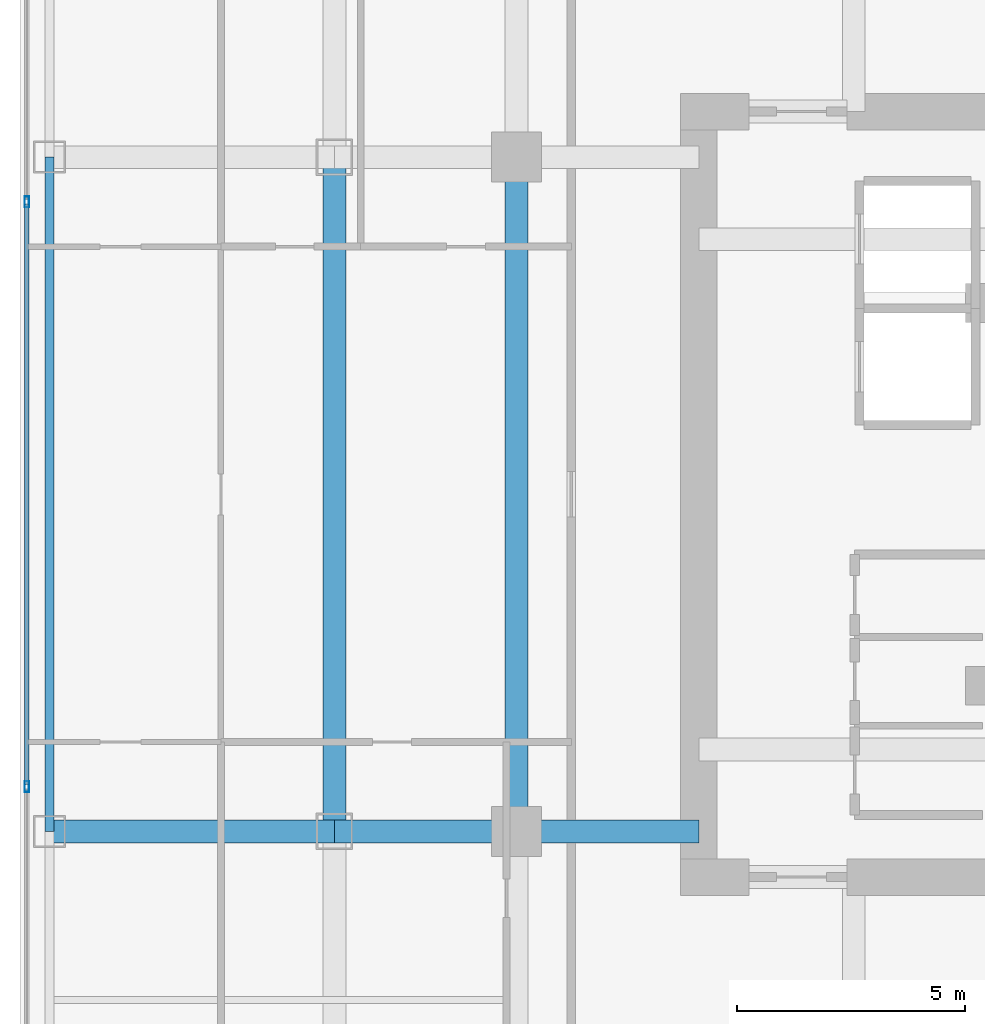
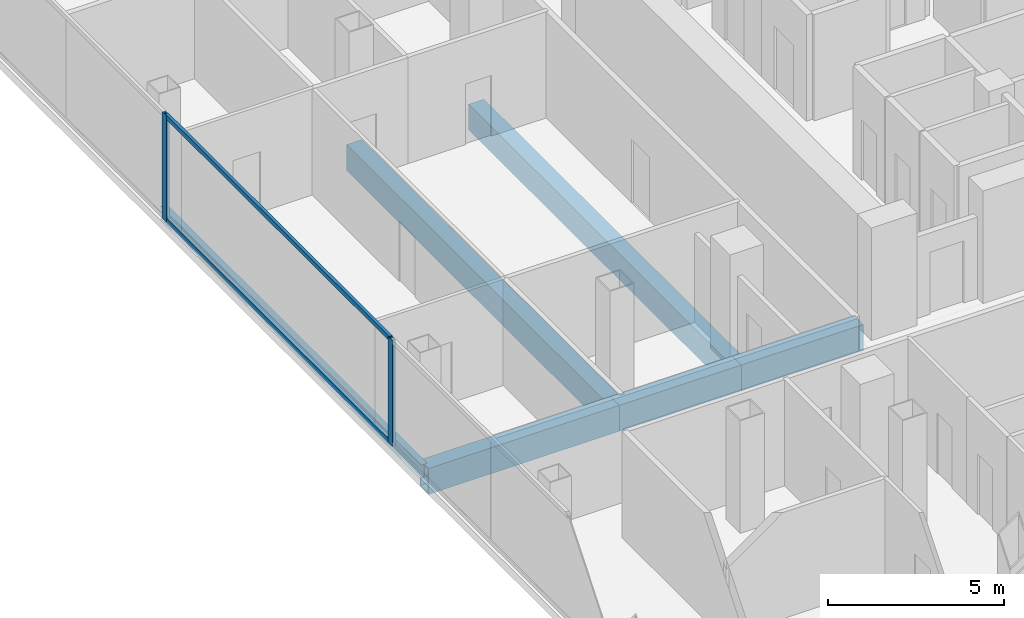
# One storey, part 5 of 27: 6 beams, 4 members, 1 element without a shape of its own.
"""IFC4 building model written with IfcOpenShell, lengths in metres."""

from ifc_helpers import new_model, si_unit, direction, frame, origin, origin_2d, place, context, subcontext, project, spatial, hollow_rectangle, i_section, extrude, material, layer, layer_set, material_profile, profile_set, type_object, element, aggregate, save


model = new_model("IFC4")

# Units and contexts
model_context = context("Model", 3, precision=1e-05, world=origin(), true_north=direction((0.0, 1.0)))
body_context = subcontext(model_context, "Body", "Model", "MODEL_VIEW")
ifc_project = project(units=[si_unit("LENGTHUNIT", "METRE"), si_unit("AREAUNIT", "SQUARE_METRE"), si_unit("VOLUMEUNIT", "CUBIC_METRE"), si_unit("PLANEANGLEUNIT", "RADIAN"), si_unit("MASSUNIT", "GRAM", prefix="KILO")], contexts=[model_context])

# Site, building, storey
site_placement = place(None, origin())
site = spatial("IfcSite", under=ifc_project, at=site_placement, CompositionType="ELEMENT")
building_placement = place(site_placement, origin())
building = spatial("IfcBuilding", under=site, at=building_placement, Name="Khorvyn Point Tower", CompositionType="ELEMENT")
storey_placement = place(building_placement, frame((0.0, 0.0, 168.0)))
storey = spatial("IfcBuildingStorey", under=building, at=storey_placement, Name="L41", CompositionType="ELEMENT", Elevation=168.0)

# Curtain wall, members
ifc_material_1 = material(Name="Anodised aluminium 6063-T6 and laminated Low-E glass", Category="aluminium")
ifc_layer = layer(ifc_material_1, 0.18994140625)
ifc_layer_set = layer_set([ifc_layer], Name="Stick-Built Acoustic Curtain Wall CW-SYS-03")
curtain_wall_type = type_object("IfcCurtainWallType", Name="Stick-Built Acoustic Curtain Wall CW-SYS-03", PredefinedType="NOTDEFINED", material=ifc_layer_set)
curtain_wall_placement = place(storey_placement, origin())
curtain_wall = element("IfcCurtainWall", 1, at=curtain_wall_placement, inside=storey, type_object=curtain_wall_type, Name="Curtain Wall", PredefinedType="NOTDEFINED")
ifc_material_2 = material(Name="Anodised aluminium 6063-T6", Category="aluminium")
ifc_material_profile_1 = material_profile(ifc_material_2, hollow_rectangle(XDim=0.10009765625, YDim=0.239990234375, WallThickness=0.0048828125, at=origin_2d()))
ifc_profile_set_1 = profile_set([ifc_material_profile_1], Name="Anodised aluminium 6063-T6 ALU-MUL-100x240")
member_type_1 = type_object("IfcMemberType", Name="Anodised Aluminium 6063-T6 Mullion ALU-MUL-100x240", PredefinedType="MULLION", material=ifc_profile_set_1)
member_1_placement = place(storey_placement, frame((-25.550048828125, -6.416748046875, 0.0), z_axis=(0.0, 0.0, 1.0), x_axis=(-1.0, 0.0, 0.0)))
member_1 = element("IfcMember", 2, at=member_1_placement, type_object=member_type_1, Name="Transom", PredefinedType="MULLION", context=body_context, shape_type="SweptSolid", body=[
    extrude(hollow_rectangle(XDim=0.10009765625, YDim=0.239990234375, WallThickness=0.0048828125, at=origin_2d()), origin(), (0.0, 0.0, 1.0), 3.679931640625),
])
member_2_placement = place(storey_placement, frame((-25.550048828125, 6.416748046875, 0.0), z_axis=(0.0, 0.0, 1.0), x_axis=(-1.0, 0.0, 0.0)))
member_2 = element("IfcMember", 3, at=member_2_placement, type_object=member_type_1, Name="Transom", PredefinedType="MULLION", context=body_context, shape_type="SweptSolid", body=[
    extrude(hollow_rectangle(XDim=0.10009765625, YDim=0.239990234375, WallThickness=0.0048828125, at=origin_2d()), origin(), (0.0, 0.0, 1.0), 3.679931640625),
])
ifc_material_profile_2 = material_profile(ifc_material_2, hollow_rectangle(XDim=0.10009765625, YDim=0.159912109375, WallThickness=0.00439453125, at=origin_2d()))
ifc_profile_set_2 = profile_set([ifc_material_profile_2], Name="Anodised aluminium 6063-T6 ALU-TRN-100x160")
member_type_2 = type_object("IfcMemberType", Name="Anodised Aluminium 6063-T6 Transom ALU-TRN-100x160", PredefinedType="USERDEFINED", material=ifc_profile_set_2)
member_3_placement = place(storey_placement, frame((-25.550048828125, -6.36669921875, 0.050048828125), z_axis=(0.0, 1.0, 0.0), x_axis=(-1.0, 0.0, 0.0)))
member_3 = element("IfcMember", 4, at=member_3_placement, type_object=member_type_2, Name="Transom", ObjectType="TRANSOM", PredefinedType="USERDEFINED", context=body_context, shape_type="SweptSolid", body=[
    extrude(hollow_rectangle(XDim=0.10009765625, YDim=0.159912109375, WallThickness=0.00439453125, at=origin_2d()), origin(), (0.0, 0.0, 1.0), 12.7333984375),
])
member_4_placement = place(storey_placement, frame((-25.550048828125, -6.36669921875, 3.6298828125), z_axis=(0.0, 1.0, 0.0), x_axis=(-1.0, 0.0, 0.0)))
member_4 = element("IfcMember", 5, at=member_4_placement, type_object=member_type_2, Name="Transom", ObjectType="TRANSOM", PredefinedType="USERDEFINED", context=body_context, shape_type="SweptSolid", body=[
    extrude(hollow_rectangle(XDim=0.10009765625, YDim=0.159912109375, WallThickness=0.00439453125, at=origin_2d()), origin(), (0.0, 0.0, 1.0), 12.7333984375),
])
aggregate(curtain_wall, [member_1, member_2, member_3, member_4])

# Beams
ifc_material_3 = material(Name="Steel S355", Category="steel")
ifc_material_profile_3 = material_profile(ifc_material_3, i_section(OverallWidth=0.199951171875, OverallDepth=0.449951171875, WebThickness=0.009033203125, FlangeThickness=0.013916015625, at=origin_2d()))
ifc_profile_set_3 = profile_set([ifc_material_profile_3], Name="Steel S355 H450x200x9x14")
beam_type_1 = type_object("IfcBeamType", Name="Steel S355 Spandrel H450x200x9x14", PredefinedType="SPANDREL", material=ifc_profile_set_3)
beam_1_placement = place(storey_placement, frame((-25.050048828125, -7.39990234375, -0.5048828125), z_axis=(0.0, 1.0, 0.0), x_axis=(-1.0, 0.0, 0.0)))
element("IfcBeam", 6, at=beam_1_placement, inside=storey, type_object=beam_type_1, Name="Beam", PredefinedType="SPANDREL", context=body_context, shape_type="SweptSolid", body=[
    extrude(i_section(OverallWidth=0.199951171875, OverallDepth=0.449951171875, WebThickness=0.009033203125, FlangeThickness=0.013916015625, at=origin_2d()), origin(), (0.0, 0.0, 1.0), 14.7998046875),
])
ifc_material_4 = material(Name="Steel S450", Category="steel")
ifc_material_profile_4 = material_profile(ifc_material_4, hollow_rectangle(XDim=0.5, YDim=0.89990234375, WallThickness=0.0400390625, at=origin_2d()))
ifc_profile_set_4 = profile_set([ifc_material_profile_4], Name="Steel S450 BOX900x500x40")
beam_type_2 = type_object("IfcBeamType", Name="Steel S450 Beam BOX900x500x40", PredefinedType="BEAM", material=ifc_profile_set_4)
beam_2_placement = place(storey_placement, frame((-25.050048828125, -7.39990234375, -0.72998046875), z_axis=(1.0, 0.0, 0.0), x_axis=(0.0, 1.0, 0.0)))
element("IfcBeam", 7, at=beam_2_placement, inside=storey, type_object=beam_type_2, Name="Beam", PredefinedType="BEAM", context=body_context, shape_type="SweptSolid", body=[
    extrude(hollow_rectangle(XDim=0.5, YDim=0.89990234375, WallThickness=0.0400390625, at=origin_2d()), origin(), (0.0, 0.0, 1.0), 6.25),
])
for number, where, z_axis, x_axis, name in (
    (8, (-18.800048828125, -7.39990234375, -0.72998046875), (1.0, 0.0, 0.0), (0.0, 1.0, 0.0), "Beam"),
    (9, (-14.800048828125, -7.39990234375, -0.72998046875), (1.0, 0.0, 0.0), (0.0, 1.0, 0.0), "Beam"),
):
    element("IfcBeam", number, at=place(storey_placement, frame(where, z_axis=z_axis, x_axis=x_axis)), inside=storey, type_object=beam_type_2, Name=name, PredefinedType="BEAM", context=body_context, shape_type="SweptSolid", body=[
        extrude(hollow_rectangle(XDim=0.5, YDim=0.89990234375, WallThickness=0.0400390625, at=origin_2d()), origin(), (0.0, 0.0, 1.0), 4.0),
    ])
for number, where, z_axis, x_axis, name in (
    (10, (-14.800048828125, -7.39990234375, -0.72998046875), (0.0, 1.0, 0.0), (-1.0, 0.0, 0.0), "L41 Radial Transfer Girder"),
    (11, (-18.800048828125, -7.39990234375, -0.72998046875), (0.0, 1.0, 0.0), (-1.0, 0.0, 0.0), "Beam"),
):
    element("IfcBeam", number, at=place(storey_placement, frame(where, z_axis=z_axis, x_axis=x_axis)), inside=storey, type_object=beam_type_2, Name=name, PredefinedType="BEAM", context=body_context, shape_type="SweptSolid", body=[
        extrude(hollow_rectangle(XDim=0.5, YDim=0.89990234375, WallThickness=0.0400390625, at=origin_2d()), origin(), (0.0, 0.0, 1.0), 14.7998046875),
    ])

save(model, "model.ifc")
